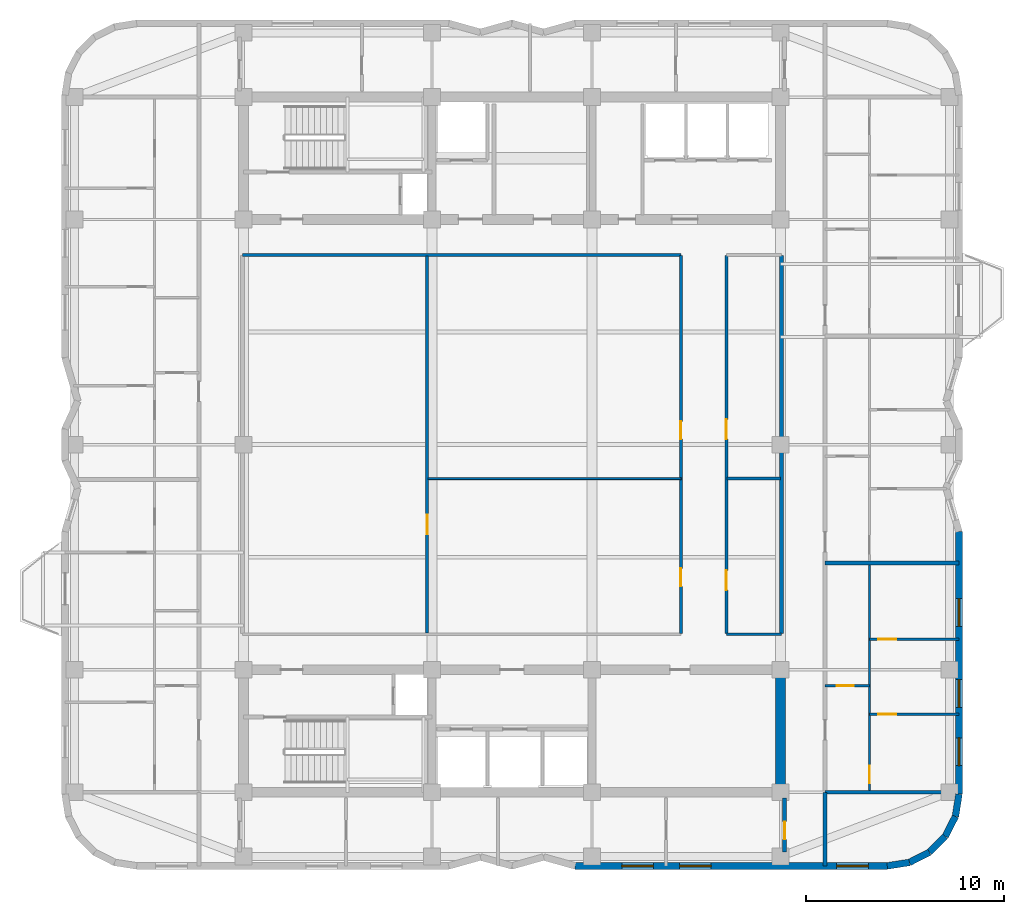
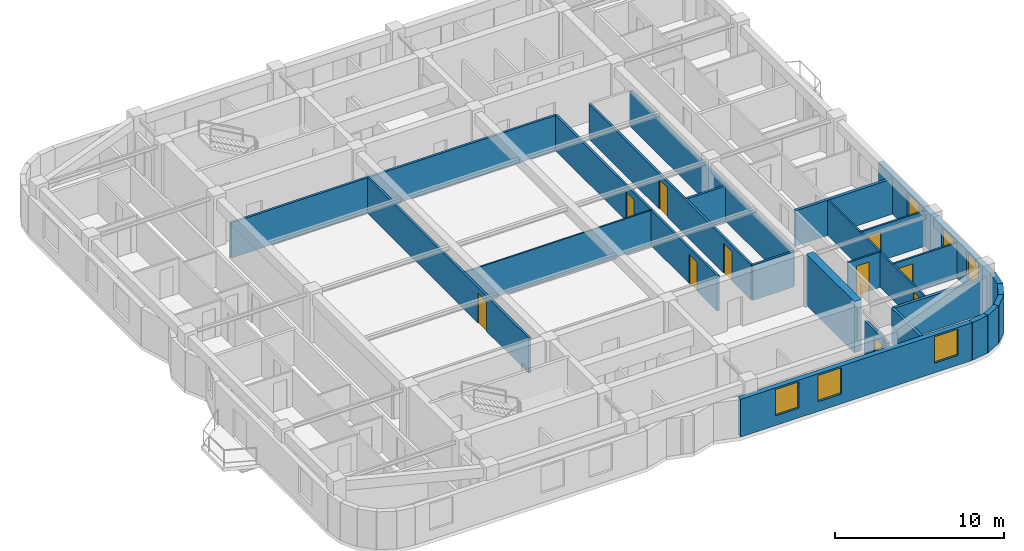
# One storey, part 4 of 9: 24 walls, 10 doors, 6 windows, 16 openings.
"""IFC4 building model written with IfcOpenShell, lengths in metres."""

from ifc_helpers import new_model, si_unit, direction, frame, frame_2d, origin, place, context, subcontext, project, spatial, rectangle, extrude, material, layer, layer_set, type_object, element, fill, save


model = new_model("IFC4")

# Units and contexts
model_context = context("Model", 3, precision=1e-05, world=origin(), true_north=direction((0.0, 1.0)))
body_context = subcontext(model_context, "Body", "Model", "MODEL_VIEW")
ifc_project = project(units=[si_unit("LENGTHUNIT", "METRE"), si_unit("AREAUNIT", "SQUARE_METRE"), si_unit("VOLUMEUNIT", "CUBIC_METRE"), si_unit("PLANEANGLEUNIT", "RADIAN"), si_unit("MASSUNIT", "GRAM", prefix="KILO")], contexts=[model_context])

# Site, building, storey
site_placement = place(None, origin())
site = spatial("IfcSite", under=ifc_project, at=site_placement, CompositionType="ELEMENT")
building_placement = place(site_placement, origin())
building = spatial("IfcBuilding", under=site, at=building_placement, Name="Svetorya Sky Lyceum", CompositionType="ELEMENT")
storey_placement = place(building_placement, frame((0.0, 0.0, 207.300048828125)))
storey = spatial("IfcBuildingStorey", under=building, at=storey_placement, Name="L51", CompositionType="ELEMENT", Elevation=207.300048828125)

# Wall
ifc_material_1 = material(Name="Concrete C50/60", Category="concrete")
ifc_layer_1 = layer(ifc_material_1, 0.5)
ifc_layer_set_1 = layer_set([ifc_layer_1], Name="Concrete C50/60")
wall_type_1 = type_object("IfcWallType", Name="WL-CORE-500", PredefinedType="SHEAR", material=ifc_layer_set_1)
wall_1_placement = place(storey_placement, frame((52.800048828125, 10.85009765625, 0.0), z_axis=(0.0, 0.0, 1.0), x_axis=(0.0, 1.0, 0.0)))
element("IfcWall", 1, at=wall_1_placement, inside=storey, type_object=wall_type_1, Name="L51 SC East Core Shear Wall", PredefinedType="SHEAR", context=body_context, shape_type="SweptSolid", body=[
    extrude(rectangle(XDim=5.699951171875, YDim=0.5, at=frame_2d((2.85009765625, 0.0))), origin(), (0.0, 0.0, 1.0), 3.699951171875),
])

# Wall, openings, windows
ifc_material_2 = material(Name="Putilovo limestone rainscreen on autoclaved cellular masonry", Category="masonry")
ifc_layer_2 = layer(ifc_material_2, 0.340087890625)
ifc_layer_set_2 = layer_set([ifc_layer_2], Name="Putilovo limestone rainscreen on autoclaved cellular masonry")
wall_type_2 = type_object("IfcWallType", Name="WL-EXT-340", PredefinedType="SOLIDWALL", material=ifc_layer_set_2)
wall_2_placement = place(storey_placement, frame((42.39990234375, 6.8701171875, 0.0), z_axis=(0.0, 0.0, 1.0), x_axis=(1.0, 0.0, 0.0)))
wall_2 = element("IfcWall", 2, at=wall_2_placement, inside=storey, type_object=wall_type_2, Name="L51 Limestone Exterior Wall 11M", PredefinedType="SOLIDWALL", context=body_context, shape_type="SweptSolid", body=[
    extrude(rectangle(XDim=15.800048828125, YDim=0.340087890625, at=frame_2d((7.89990234375, 0.0))), origin(), (0.0, 0.0, 1.0), 2.719970703125),
])
opening_1_placement = place(wall_2_placement, frame((2.362548828125, 0.0, 0.699951171875)))
opening_1 = element("IfcOpeningElement", 3, at=opening_1_placement, cuts=wall_2, Name="Opening W-R4", PredefinedType="OPENING", context=body_context, shape_type="SweptSolid", body=[
    extrude(rectangle(XDim=1.60009765625, YDim=1.89990234375, at=frame_2d((0.800048828125, 0.949951171875))), frame((0.0, 0.179931640625, 0.0), z_axis=(0.0, -1.0, 0.0), x_axis=(1.0, 0.0, 0.0)), (0.0, 0.0, 1.0), 0.360107421875),
])
opening_2_placement = place(wall_2_placement, frame((5.28759765625, 0.0, 0.699951171875)))
opening_2 = element("IfcOpeningElement", 4, at=opening_2_placement, cuts=wall_2, Name="Opening W-R4", PredefinedType="OPENING", context=body_context, shape_type="SweptSolid", body=[
    extrude(rectangle(XDim=1.60009765625, YDim=1.89990234375, at=frame_2d((0.800048828125, 0.949951171875))), frame((0.0, 0.179931640625, 0.0), z_axis=(0.0, -1.0, 0.0), x_axis=(1.0, 0.0, 0.0)), (0.0, 0.0, 1.0), 0.360107421875),
])
opening_3_placement = place(wall_2_placement, frame((13.237548828125, 0.0, 0.699951171875)))
opening_3 = element("IfcOpeningElement", 5, at=opening_3_placement, cuts=wall_2, Name="Opening W-R4", PredefinedType="OPENING", context=body_context, shape_type="SweptSolid", body=[
    extrude(rectangle(XDim=1.60009765625, YDim=1.89990234375, at=frame_2d((0.800048828125, 0.949951171875))), frame((0.0, 0.179931640625, 0.0), z_axis=(0.0, -1.0, 0.0), x_axis=(1.0, 0.0, 0.0)), (0.0, 0.0, 1.0), 0.360107421875),
])
ifc_material_3 = material(Name="Thermally broken aluminium frame with triple low-E glazing", Category="aluminium")
window_type_1 = type_object("IfcWindowType", Name="WN-RES-160", PartitioningType="DOUBLE_PANEL_VERTICAL", PredefinedType="WINDOW", material=ifc_material_3)
window_1_placement = place(opening_1_placement, origin())
window_1 = element("IfcWindow", 6, at=window_1_placement, inside=storey, type_object=window_type_1, Name="L51 Facade Window W-R4.11M.1", OverallHeight=1.89990234375, OverallWidth=1.60009765625, PartitioningType="SINGLE_PANEL", PredefinedType="WINDOW", context=body_context, shape_type="SweptSolid", body=[
    extrude(rectangle(XDim=1.60009765625, YDim=1.89990234375, at=frame_2d((0.800048828125, 0.949951171875))), frame((0.0, 0.030029296875, 0.0), z_axis=(0.0, -1.0, 0.0), x_axis=(1.0, 0.0, 0.0)), (0.0, 0.0, 1.0), 0.06005859375),
])
fill(opening_1, window_1)
window_2_placement = place(opening_2_placement, origin())
window_2 = element("IfcWindow", 7, at=window_2_placement, inside=storey, type_object=window_type_1, Name="L51 Facade Window W-R4.11M.2", OverallHeight=1.89990234375, OverallWidth=1.60009765625, PartitioningType="SINGLE_PANEL", PredefinedType="WINDOW", context=body_context, shape_type="SweptSolid", body=[
    extrude(rectangle(XDim=1.60009765625, YDim=1.89990234375, at=frame_2d((0.800048828125, 0.949951171875))), frame((0.0, 0.030029296875, 0.0), z_axis=(0.0, -1.0, 0.0), x_axis=(1.0, 0.0, 0.0)), (0.0, 0.0, 1.0), 0.06005859375),
])
fill(opening_2, window_2)
window_3_placement = place(opening_3_placement, origin())
window_3 = element("IfcWindow", 8, at=window_3_placement, inside=storey, type_object=window_type_1, Name="L51 Facade Window W-R4.11M.3", OverallHeight=1.89990234375, OverallWidth=1.60009765625, PartitioningType="SINGLE_PANEL", PredefinedType="WINDOW", context=body_context, shape_type="SweptSolid", body=[
    extrude(rectangle(XDim=1.60009765625, YDim=1.89990234375, at=frame_2d((0.800048828125, 0.949951171875))), frame((0.0, 0.030029296875, 0.0), z_axis=(0.0, -1.0, 0.0), x_axis=(1.0, 0.0, 0.0)), (0.0, 0.0, 1.0), 0.06005859375),
])
fill(opening_3, window_3)

# Walls
for number, where, z_axis, x_axis, name in (
    (9, (58.199951171875, 6.8701171875, 0.0), (0.0, 0.0, 1.0), (0.987714116584, 0.156271634985, 0.0), "L51 Limestone Exterior Wall 12M"),
    (10, (59.32177734375, 7.047607421875, 0.0), (0.0, 0.0, 1.0), (0.891005044957, 0.453993402883, 0.0), "L51 Limestone Exterior Wall 13M"),
):
    element("IfcWall", number, at=place(storey_placement, frame(where, z_axis=z_axis, x_axis=x_axis)), inside=storey, type_object=wall_type_2, Name=name, PredefinedType="SOLIDWALL", context=body_context, shape_type="SweptSolid", body=[
        extrude(rectangle(XDim=1.1357421875, YDim=0.340087890625, at=frame_2d((0.56787109375, 0.0))), origin(), (0.0, 0.0, 1.0), 2.719970703125),
    ])
wall_3_placement = place(storey_placement, frame((60.333740234375, 7.563232421875, 0.0), z_axis=(0.0, 0.0, 1.0), x_axis=(0.707106781187, 0.707106781187, 0.0)))
element("IfcWall", 11, at=wall_3_placement, inside=storey, type_object=wall_type_2, Name="L51 Limestone Exterior Wall 14M", PredefinedType="SOLIDWALL", context=body_context, shape_type="SweptSolid", body=[
    extrude(rectangle(XDim=1.135498046875, YDim=0.340087890625, at=frame_2d((0.56787109375, 0.0))), origin(), (0.0, 0.0, 1.0), 2.719970703125),
])
wall_4_placement = place(storey_placement, frame((61.13671875, 8.3662109375, 0.0), z_axis=(0.0, 0.0, 1.0), x_axis=(0.45390646422, 0.891049337433, 0.0)))
element("IfcWall", 12, at=wall_4_placement, inside=storey, type_object=wall_type_2, Name="L51 Limestone Exterior Wall 15M", PredefinedType="SOLIDWALL", context=body_context, shape_type="SweptSolid", body=[
    extrude(rectangle(XDim=1.135986328125, YDim=0.340087890625, at=frame_2d((0.56787109375, 0.0))), origin(), (0.0, 0.0, 1.0), 2.719970703125),
])
wall_5_placement = place(storey_placement, frame((61.65234375, 9.37841796875, 0.0), z_axis=(0.0, 0.0, 1.0), x_axis=(0.156514556949, 0.987675651954, 0.0)))
element("IfcWall", 13, at=wall_5_placement, inside=storey, type_object=wall_type_2, Name="L51 Limestone Exterior Wall 16M", PredefinedType="SOLIDWALL", context=body_context, shape_type="SweptSolid", body=[
    extrude(rectangle(XDim=1.135498046875, YDim=0.340087890625, at=frame_2d((0.56787109375, 0.0))), origin(), (0.0, 0.0, 1.0), 2.719970703125),
])

# Wall, openings, windows
wall_6_placement = place(storey_placement, frame((61.830078125, 10.5, 0.0), z_axis=(0.0, 0.0, 1.0), x_axis=(0.0, 1.0, 0.0)))
wall_6 = element("IfcWall", 14, at=wall_6_placement, inside=storey, type_object=wall_type_2, Name="L51 Limestone Exterior Wall 17M", PredefinedType="SOLIDWALL", context=body_context, shape_type="SweptSolid", body=[
    extrude(rectangle(XDim=13.300048828125, YDim=0.340087890625, at=frame_2d((6.64990234375, 0.0))), origin(), (0.0, 0.0, 1.0), 2.719970703125),
])
opening_4_placement = place(wall_6_placement, frame((1.449951171875, 0.0, 0.75)))
opening_4 = element("IfcOpeningElement", 15, at=opening_4_placement, cuts=wall_6, Name="Opening W-R2", PredefinedType="OPENING", context=body_context, shape_type="SweptSolid", body=[
    extrude(rectangle(XDim=1.39990234375, YDim=1.85009765625, at=frame_2d((0.699951171875, 0.925048828125))), frame((0.0, 0.179931640625, 0.0), z_axis=(0.0, -1.0, 0.0), x_axis=(1.0, 0.0, 0.0)), (0.0, 0.0, 1.0), 0.360107421875),
])
opening_5_placement = place(wall_6_placement, frame((4.39990234375, 0.0, 0.7099609375)))
opening_5 = element("IfcOpeningElement", 16, at=opening_5_placement, cuts=wall_6, Name="Opening W-R2", PredefinedType="OPENING", context=body_context, shape_type="SweptSolid", body=[
    extrude(rectangle(XDim=1.39990234375, YDim=1.85009765625, at=frame_2d((0.699951171875, 0.925048828125))), frame((0.0, 0.179931640625, 0.0), z_axis=(0.0, -1.0, 0.0), x_axis=(1.0, 0.0, 0.0)), (0.0, 0.0, 1.0), 0.360107421875),
])
opening_6_placement = place(wall_6_placement, frame((8.5, 0.0, 0.75)))
opening_6 = element("IfcOpeningElement", 17, at=opening_6_placement, cuts=wall_6, Name="Opening W-R2", PredefinedType="OPENING", context=body_context, shape_type="SweptSolid", body=[
    extrude(rectangle(XDim=1.39990234375, YDim=1.85009765625, at=frame_2d((0.699951171875, 0.925048828125))), frame((0.0, 0.179931640625, 0.0), z_axis=(0.0, -1.0, 0.0), x_axis=(1.0, 0.0, 0.0)), (0.0, 0.0, 1.0), 0.360107421875),
])
window_type_2 = type_object("IfcWindowType", Name="WN-RES-140", PartitioningType="SINGLE_PANEL", PredefinedType="WINDOW", material=ifc_material_3)
window_4_placement = place(opening_4_placement, origin())
window_4 = element("IfcWindow", 18, at=window_4_placement, inside=storey, type_object=window_type_2, Name="L51 Facade Window W-R2.17M.1", OverallHeight=1.85009765625, OverallWidth=1.39990234375, PartitioningType="SINGLE_PANEL", PredefinedType="WINDOW", context=body_context, shape_type="SweptSolid", body=[
    extrude(rectangle(XDim=1.39990234375, YDim=1.85009765625, at=frame_2d((0.699951171875, 0.925048828125))), frame((0.0, 0.030029296875, 0.0), z_axis=(0.0, -1.0, 0.0), x_axis=(1.0, 0.0, 0.0)), (0.0, 0.0, 1.0), 0.06005859375),
])
fill(opening_4, window_4)
window_5_placement = place(opening_5_placement, origin())
window_5 = element("IfcWindow", 19, at=window_5_placement, inside=storey, type_object=window_type_2, Name="L51 Facade Window W-R2.17M.3", OverallHeight=1.85009765625, OverallWidth=1.39990234375, PartitioningType="SINGLE_PANEL", PredefinedType="WINDOW", context=body_context, shape_type="SweptSolid", body=[
    extrude(rectangle(XDim=1.39990234375, YDim=1.85009765625, at=frame_2d((0.699951171875, 0.925048828125))), frame((0.0, 0.030029296875, 0.0), z_axis=(0.0, -1.0, 0.0), x_axis=(1.0, 0.0, 0.0)), (0.0, 0.0, 1.0), 0.06005859375),
])
fill(opening_5, window_5)
window_6_placement = place(opening_6_placement, origin())
window_6 = element("IfcWindow", 20, at=window_6_placement, inside=storey, type_object=window_type_2, Name="L51 Facade Window W-R2.17M.2", OverallHeight=1.85009765625, OverallWidth=1.39990234375, PartitioningType="SINGLE_PANEL", PredefinedType="WINDOW", context=body_context, shape_type="SweptSolid", body=[
    extrude(rectangle(XDim=1.39990234375, YDim=1.85009765625, at=frame_2d((0.699951171875, 0.925048828125))), frame((0.0, 0.030029296875, 0.0), z_axis=(0.0, -1.0, 0.0), x_axis=(1.0, 0.0, 0.0)), (0.0, 0.0, 1.0), 0.06005859375),
])
fill(opening_6, window_6)

# Wall
ifc_material_4 = material(Name="Galvanized stud partition with moisture-resistant board", Category="gypsum")
ifc_layer_3 = layer(ifc_material_4, 0.10009765625)
ifc_layer_set_3 = layer_set([ifc_layer_3], Name="Galvanized stud partition with moisture-resistant board")
wall_type_3 = type_object("IfcWallType", Name="WL-PART-100", PredefinedType="PARTITIONING", material=ifc_layer_set_3)
wall_7_placement = place(storey_placement, frame((34.949951171875, 26.477294921875, 0.0), z_axis=(0.0, 0.0, 1.0), x_axis=(1.0, 0.0, 0.0)))
element("IfcWall", 21, at=wall_7_placement, inside=storey, type_object=wall_type_3, Name="L51 Interior Partition OFF-WHM", PredefinedType="PARTITIONING", context=body_context, shape_type="SweptSolid", body=[
    extrude(rectangle(XDim=12.81005859375, YDim=0.10009765625, at=frame_2d((6.405029296875, 0.0))), origin(), (0.0, 0.0, 1.0), 2.550048828125),
])

# Wall, opening, door
ifc_material_5 = material(Name="Twin-stud galvanized framing with double fireboard", Category="gypsum")
ifc_layer_4 = layer(ifc_material_5, 0.1201171875)
ifc_layer_set_4 = layer_set([ifc_layer_4], Name="Twin-stud galvanized framing with double fireboard")
wall_type_4 = type_object("IfcWallType", Name="WL-PART-120", PredefinedType="PARTITIONING", material=ifc_layer_set_4)
wall_8_placement = place(storey_placement, frame((55.050048828125, 16.0, 0.0), z_axis=(0.0, 0.0, 1.0), x_axis=(1.0, 0.0, 0.0)))
wall_8 = element("IfcWall", 22, at=wall_8_placement, inside=storey, type_object=wall_type_4, Name="L51 Interior Partition E1-WH1", PredefinedType="PARTITIONING", context=body_context, shape_type="SweptSolid", body=[
    extrude(rectangle(XDim=2.25, YDim=0.1201171875, at=frame_2d((1.125, 0.0))), origin(), (0.0, 0.0, 1.0), 2.550048828125),
])
opening_7_placement = place(wall_8_placement, frame((0.60009765625, 0.0, 0.0)))
opening_7 = element("IfcOpeningElement", 23, at=opening_7_placement, cuts=wall_8, Name="Opening D-BT1", PredefinedType="OPENING", context=body_context, shape_type="SweptSolid", body=[
    extrude(rectangle(XDim=0.85009765625, YDim=2.10009765625, at=frame_2d((0.425048828125, 1.050048828125))), frame((0.0, 0.070068359375, 0.0), z_axis=(0.0, -1.0, 0.0), x_axis=(1.0, 0.0, 0.0)), (0.0, 0.0, 1.0), 0.14013671875),
])
ifc_material_6 = material(Name="Moisture-resistant laminate bathroom door")
door_type_1 = type_object("IfcDoorType", Name="DR-WET-850", OperationType="SINGLE_SWING_LEFT", PredefinedType="DOOR", material=ifc_material_6)
door_1_placement = place(opening_7_placement, origin())
door_1 = element("IfcDoor", 24, at=door_1_placement, inside=storey, type_object=door_type_1, Name="Apartment E1 Bathroom Door", OperationType="SINGLE_SWING_RIGHT", OverallHeight=2.10009765625, OverallWidth=0.85009765625, PredefinedType="DOOR", context=body_context, shape_type="SweptSolid", body=[
    extrude(rectangle(XDim=0.85009765625, YDim=2.10009765625, at=frame_2d((0.425048828125, 1.050048828125))), frame((0.0, 0.02490234375, 0.0), z_axis=(0.0, -1.0, 0.0), x_axis=(1.0, 0.0, 0.0)), (0.0, 0.0, 1.0), 0.050048828125),
])
fill(opening_7, door_1)

wall_9_placement = place(storey_placement, frame((57.300048828125, 14.550048828125, 0.0), z_axis=(0.0, 0.0, 1.0), x_axis=(1.0, 0.0, 0.0)))
wall_9 = element("IfcWall", 25, at=wall_9_placement, inside=storey, type_object=wall_type_4, Name="L51 Interior Partition E1-WL1", PredefinedType="PARTITIONING", context=body_context, shape_type="SweptSolid", body=[
    extrude(rectangle(XDim=4.530029296875, YDim=0.1201171875, at=frame_2d((2.26513671875, 0.0))), origin(), (0.0, 0.0, 1.0), 2.550048828125),
])
opening_8_placement = place(wall_9_placement, frame((0.449951171875, 0.0, 0.0)))
opening_8 = element("IfcOpeningElement", 26, at=opening_8_placement, cuts=wall_9, Name="Opening D-RM1", PredefinedType="OPENING", context=body_context, shape_type="SweptSolid", body=[
    extrude(rectangle(XDim=0.89990234375, YDim=2.10009765625, at=frame_2d((0.449951171875, 1.050048828125))), frame((0.0, 0.070068359375, 0.0), z_axis=(0.0, -1.0, 0.0), x_axis=(1.0, 0.0, 0.0)), (0.0, 0.0, 1.0), 0.14013671875),
])
ifc_material_7 = material(Name="Lacquered birch veneer internal door")
door_type_2 = type_object("IfcDoorType", Name="DR-INT-900", OperationType="SINGLE_SWING_LEFT", PredefinedType="DOOR", material=ifc_material_7)
door_2_placement = place(opening_8_placement, origin())
door_2 = element("IfcDoor", 27, at=door_2_placement, inside=storey, type_object=door_type_2, Name="Apartment E1 Master Bedroom Door", OperationType="SINGLE_SWING_RIGHT", OverallHeight=2.10009765625, OverallWidth=0.89990234375, PredefinedType="DOOR", context=body_context, shape_type="SweptSolid", body=[
    extrude(rectangle(XDim=0.89990234375, YDim=2.10009765625, at=frame_2d((0.449951171875, 1.050048828125))), frame((0.0, 0.02490234375, 0.0), z_axis=(0.0, -1.0, 0.0), x_axis=(1.0, 0.0, 0.0)), (0.0, 0.0, 1.0), 0.050048828125),
])
fill(opening_8, door_2)

wall_10_placement = place(storey_placement, frame((57.300048828125, 18.35009765625, 0.0), z_axis=(0.0, 0.0, 1.0), x_axis=(1.0, 0.0, 0.0)))
wall_10 = element("IfcWall", 28, at=wall_10_placement, inside=storey, type_object=wall_type_4, Name="L51 Interior Partition E1-WL2", PredefinedType="PARTITIONING", context=body_context, shape_type="SweptSolid", body=[
    extrude(rectangle(XDim=4.530029296875, YDim=0.1201171875, at=frame_2d((2.26513671875, 0.0))), origin(), (0.0, 0.0, 1.0), 2.550048828125),
])
opening_9_placement = place(wall_10_placement, frame((0.449951171875, 0.0, 0.0)))
opening_9 = element("IfcOpeningElement", 29, at=opening_9_placement, cuts=wall_10, Name="Opening D-RM1", PredefinedType="OPENING", context=body_context, shape_type="SweptSolid", body=[
    extrude(rectangle(XDim=0.89990234375, YDim=2.10009765625, at=frame_2d((0.449951171875, 1.050048828125))), frame((0.0, 0.070068359375, 0.0), z_axis=(0.0, -1.0, 0.0), x_axis=(1.0, 0.0, 0.0)), (0.0, 0.0, 1.0), 0.14013671875),
])
door_3_placement = place(opening_9_placement, origin())
door_3 = element("IfcDoor", 30, at=door_3_placement, inside=storey, type_object=door_type_2, Name="Apartment E1 Bedroom 2 Door", OperationType="SINGLE_SWING_LEFT", OverallHeight=2.10009765625, OverallWidth=0.89990234375, PredefinedType="DOOR", context=body_context, shape_type="SweptSolid", body=[
    extrude(rectangle(XDim=0.89990234375, YDim=2.10009765625, at=frame_2d((0.449951171875, 1.050048828125))), frame((0.0, 0.02490234375, 0.0), z_axis=(0.0, -1.0, 0.0), x_axis=(1.0, 0.0, 0.0)), (0.0, 0.0, 1.0), 0.050048828125),
])
fill(opening_9, door_3)

wall_11_placement = place(storey_placement, frame((57.300048828125, 10.639892578125, 0.0), z_axis=(0.0, 0.0, 1.0), x_axis=(0.0, 1.0, 0.0)))
wall_11 = element("IfcWall", 31, at=wall_11_placement, inside=storey, type_object=wall_type_4, Name="L51 Interior Partition E1-WV", PredefinedType="PARTITIONING", context=body_context, shape_type="SweptSolid", body=[
    extrude(rectangle(XDim=11.5361328125, YDim=0.1201171875, at=frame_2d((5.76806640625, 0.0))), origin(), (0.0, 0.0, 1.0), 2.550048828125),
])
opening_10_placement = place(wall_11_placement, frame((0.409912109375, 0.0, 0.0)))
opening_10 = element("IfcOpeningElement", 32, at=opening_10_placement, cuts=wall_11, Name="Opening D-RM1", PredefinedType="OPENING", context=body_context, shape_type="SweptSolid", body=[
    extrude(rectangle(XDim=0.89990234375, YDim=2.10009765625, at=frame_2d((0.449951171875, 1.050048828125))), frame((0.0, 0.070068359375, 0.0), z_axis=(0.0, -1.0, 0.0), x_axis=(1.0, 0.0, 0.0)), (0.0, 0.0, 1.0), 0.14013671875),
])
door_4_placement = place(opening_10_placement, origin())
door_4 = element("IfcDoor", 33, at=door_4_placement, inside=storey, type_object=door_type_2, Name="Apartment E1 Living Door", OperationType="SINGLE_SWING_LEFT", OverallHeight=2.10009765625, OverallWidth=0.89990234375, PredefinedType="DOOR", context=body_context, shape_type="SweptSolid", body=[
    extrude(rectangle(XDim=0.89990234375, YDim=2.10009765625, at=frame_2d((0.449951171875, 1.050048828125))), frame((0.0, 0.02490234375, 0.0), z_axis=(0.0, -1.0, 0.0), x_axis=(1.0, 0.0, 0.0)), (0.0, 0.0, 1.0), 0.050048828125),
])
fill(opening_10, door_4)

# Walls
ifc_material_8 = material(Name="Autoclaved cellular masonry blockwork with acoustic render", Category="masonry")
ifc_layer_5 = layer(ifc_material_8, 0.14990234375)
ifc_layer_set_5 = layer_set([ifc_layer_5], Name="Autoclaved cellular masonry blockwork with acoustic render")
wall_type_5 = type_object("IfcWallType", Name="WL-PART-150", PredefinedType="PARTITIONING", material=ifc_layer_set_5)
wall_12_placement = place(storey_placement, frame((50.050048828125, 18.60009765625, 0.0), z_axis=(0.0, 0.0, 1.0), x_axis=(1.0, 0.0, 0.0)))
element("IfcWall", 34, at=wall_12_placement, inside=storey, type_object=wall_type_5, Name="L51 Interior Partition OFF-CS-E", PredefinedType="PARTITIONING", context=body_context, shape_type="SweptSolid", body=[
    extrude(rectangle(XDim=2.800048828125, YDim=0.14990234375, at=frame_2d((1.39990234375, 0.0))), origin(), (0.0, 0.0, 1.0), 2.550048828125),
])
wall_13_placement = place(storey_placement, frame((25.550048828125, 37.800048828125, 0.0), z_axis=(0.0, 0.0, 1.0), x_axis=(1.0, 0.0, 0.0)))
element("IfcWall", 35, at=wall_13_placement, inside=storey, type_object=wall_type_5, Name="L51 Interior Partition OFF-CN-W", PredefinedType="PARTITIONING", context=body_context, shape_type="SweptSolid", body=[
    extrude(rectangle(XDim=22.199951171875, YDim=0.14990234375, at=frame_2d((11.10009765625, 0.0))), origin(), (0.0, 0.0, 1.0), 2.550048828125),
])

# Wall, opening, door
wall_14_placement = place(storey_placement, frame((34.89990234375, 18.659912109375, 0.0), z_axis=(0.0, 0.0, 1.0), x_axis=(0.0, 1.0, 0.0)))
wall_14 = element("IfcWall", 36, at=wall_14_placement, inside=storey, type_object=wall_type_5, Name="L51 Interior Partition OFF-WVM", PredefinedType="PARTITIONING", context=body_context, shape_type="SweptSolid", body=[
    extrude(rectangle(XDim=19.080078125, YDim=0.14990234375, at=frame_2d((9.5400390625, 0.0))), origin(), (0.0, 0.0, 1.0), 2.550048828125),
])
opening_11_placement = place(wall_14_placement, frame((5.0, 0.0, 0.0)))
opening_11 = element("IfcOpeningElement", 37, at=opening_11_placement, cuts=wall_14, Name="Opening D-RM2", PredefinedType="OPENING", context=body_context, shape_type="SweptSolid", body=[
    extrude(rectangle(XDim=1.0, YDim=2.14990234375, at=frame_2d((0.5, 1.074951171875))), frame((0.0, 0.0849609375, 0.0), z_axis=(0.0, -1.0, 0.0), x_axis=(1.0, 0.0, 0.0)), (0.0, 0.0, 1.0), 0.169921875),
])
ifc_material_9 = material(Name="Solid-core oak acoustic room door")
door_type_3 = type_object("IfcDoorType", Name="DR-INT-1000", OperationType="SINGLE_SWING_LEFT", PredefinedType="DOOR", material=ifc_material_9)
door_5_placement = place(opening_11_placement, origin())
door_5 = element("IfcDoor", 38, at=door_5_placement, inside=storey, type_object=door_type_3, Name="L51 West Seminar Door", OperationType="SINGLE_SWING_LEFT", OverallHeight=2.14990234375, OverallWidth=1.0, PredefinedType="DOOR", context=body_context, shape_type="SweptSolid", body=[
    extrude(rectangle(XDim=1.0, YDim=2.14990234375, at=frame_2d((0.5, 1.074951171875))), frame((0.0, 0.02490234375, 0.0), z_axis=(0.0, -1.0, 0.0), x_axis=(1.0, 0.0, 0.0)), (0.0, 0.0, 1.0), 0.050048828125),
])
fill(opening_11, door_5)

# Wall
wall_15_placement = place(storey_placement, frame((50.080078125, 26.477294921875, 0.0), z_axis=(0.0, 0.0, 1.0), x_axis=(1.0, 0.0, 0.0)))
element("IfcWall", 39, at=wall_15_placement, inside=storey, type_object=wall_type_5, Name="L51 Interior Partition OFF-HE", PredefinedType="PARTITIONING", context=body_context, shape_type="SweptSolid", body=[
    extrude(rectangle(XDim=2.719970703125, YDim=0.14990234375, at=frame_2d((1.35986328125, 0.0))), origin(), (0.0, 0.0, 1.0), 2.550048828125),
])

# Wall, openings, doors
wall_16_placement = place(storey_placement, frame((47.75, 18.6298828125, 0.0), z_axis=(0.0, 0.0, 1.0), x_axis=(0.0, 1.0, 0.0)))
wall_16 = element("IfcWall", 40, at=wall_16_placement, inside=storey, type_object=wall_type_5, Name="L51 Interior Partition OFF-VW", PredefinedType="PARTITIONING", context=body_context, shape_type="SweptSolid", body=[
    extrude(rectangle(XDim=19.14013671875, YDim=0.14990234375, at=frame_2d((9.570068359375, 0.0))), origin(), (0.0, 0.0, 1.0), 2.550048828125),
])
opening_12_placement = place(wall_16_placement, frame((2.39990234375, 0.0, 0.0)))
opening_12 = element("IfcOpeningElement", 41, at=opening_12_placement, cuts=wall_16, Name="Opening D-RM1", PredefinedType="OPENING", context=body_context, shape_type="SweptSolid", body=[
    extrude(rectangle(XDim=0.89990234375, YDim=2.10009765625, at=frame_2d((0.449951171875, 1.050048828125))), frame((0.0, 0.0849609375, 0.0), z_axis=(0.0, -1.0, 0.0), x_axis=(1.0, 0.0, 0.0)), (0.0, 0.0, 1.0), 0.169921875),
])
opening_13_placement = place(wall_16_placement, frame((9.847412109375, 0.0, 0.0)))
opening_13 = element("IfcOpeningElement", 42, at=opening_13_placement, cuts=wall_16, Name="Opening D-RM1", PredefinedType="OPENING", context=body_context, shape_type="SweptSolid", body=[
    extrude(rectangle(XDim=0.89990234375, YDim=2.10009765625, at=frame_2d((0.449951171875, 1.050048828125))), frame((0.0, 0.0849609375, 0.0), z_axis=(0.0, -1.0, 0.0), x_axis=(1.0, 0.0, 0.0)), (0.0, 0.0, 1.0), 0.169921875),
])
door_6_placement = place(opening_12_placement, origin())
door_6 = element("IfcDoor", 43, at=door_6_placement, inside=storey, type_object=door_type_2, Name="L51 Study Door", OperationType="SINGLE_SWING_LEFT", OverallHeight=2.10009765625, OverallWidth=0.89990234375, PredefinedType="DOOR", context=body_context, shape_type="SweptSolid", body=[
    extrude(rectangle(XDim=0.89990234375, YDim=2.10009765625, at=frame_2d((0.449951171875, 1.050048828125))), frame((0.0, 0.02490234375, 0.0), z_axis=(0.0, -1.0, 0.0), x_axis=(1.0, 0.0, 0.0)), (0.0, 0.0, 1.0), 0.050048828125),
])
fill(opening_12, door_6)
door_7_placement = place(opening_13_placement, origin())
door_7 = element("IfcDoor", 44, at=door_7_placement, inside=storey, type_object=door_type_2, Name="L51 Office Door", OperationType="SINGLE_SWING_RIGHT", OverallHeight=2.10009765625, OverallWidth=0.89990234375, PredefinedType="DOOR", context=body_context, shape_type="SweptSolid", body=[
    extrude(rectangle(XDim=0.89990234375, YDim=2.10009765625, at=frame_2d((0.449951171875, 1.050048828125))), frame((0.0, 0.02490234375, 0.0), z_axis=(0.0, -1.0, 0.0), x_axis=(1.0, 0.0, 0.0)), (0.0, 0.0, 1.0), 0.050048828125),
])
fill(opening_13, door_7)

wall_17_placement = place(storey_placement, frame((50.050048828125, 18.6298828125, 0.0), z_axis=(0.0, 0.0, 1.0), x_axis=(0.0, 1.0, 0.0)))
wall_17 = element("IfcWall", 45, at=wall_17_placement, inside=storey, type_object=wall_type_5, Name="L51 Interior Partition OFF-VE", PredefinedType="PARTITIONING", context=body_context, shape_type="SweptSolid", body=[
    extrude(rectangle(XDim=19.14013671875, YDim=0.14990234375, at=frame_2d((9.570068359375, 0.0))), origin(), (0.0, 0.0, 1.0), 2.550048828125),
])
opening_14_placement = place(wall_17_placement, frame((2.199951171875, 0.0, 0.0)))
opening_14 = element("IfcOpeningElement", 46, at=opening_14_placement, cuts=wall_17, Name="Opening D-RM2", PredefinedType="OPENING", context=body_context, shape_type="SweptSolid", body=[
    extrude(rectangle(XDim=1.0, YDim=2.14990234375, at=frame_2d((0.5, 1.074951171875))), frame((0.0, 0.0849609375, 0.0), z_axis=(0.0, -1.0, 0.0), x_axis=(1.0, 0.0, 0.0)), (0.0, 0.0, 1.0), 0.169921875),
])
opening_15_placement = place(wall_17_placement, frame((9.847412109375, 0.0, 0.0)))
opening_15 = element("IfcOpeningElement", 47, at=opening_15_placement, cuts=wall_17, Name="Opening D-RM2", PredefinedType="OPENING", context=body_context, shape_type="SweptSolid", body=[
    extrude(rectangle(XDim=1.0, YDim=2.14990234375, at=frame_2d((0.5, 1.074951171875))), frame((0.0, 0.0849609375, 0.0), z_axis=(0.0, -1.0, 0.0), x_axis=(1.0, 0.0, 0.0)), (0.0, 0.0, 1.0), 0.169921875),
])
door_8_placement = place(opening_14_placement, origin())
door_8 = element("IfcDoor", 48, at=door_8_placement, inside=storey, type_object=door_type_3, Name="L51 Meeting Door", OperationType="SINGLE_SWING_RIGHT", OverallHeight=2.14990234375, OverallWidth=1.0, PredefinedType="DOOR", context=body_context, shape_type="SweptSolid", body=[
    extrude(rectangle(XDim=1.0, YDim=2.14990234375, at=frame_2d((0.5, 1.074951171875))), frame((0.0, 0.02490234375, 0.0), z_axis=(0.0, -1.0, 0.0), x_axis=(1.0, 0.0, 0.0)), (0.0, 0.0, 1.0), 0.050048828125),
])
fill(opening_14, door_8)
door_9_placement = place(opening_15_placement, origin())
door_9 = element("IfcDoor", 49, at=door_9_placement, inside=storey, type_object=door_type_3, Name="L51 North Room Door", OperationType="SINGLE_SWING_LEFT", OverallHeight=2.14990234375, OverallWidth=1.0, PredefinedType="DOOR", context=body_context, shape_type="SweptSolid", body=[
    extrude(rectangle(XDim=1.0, YDim=2.14990234375, at=frame_2d((0.5, 1.074951171875))), frame((0.0, 0.02490234375, 0.0), z_axis=(0.0, -1.0, 0.0), x_axis=(1.0, 0.0, 0.0)), (0.0, 0.0, 1.0), 0.050048828125),
])
fill(opening_15, door_9)

# Walls
ifc_material_10 = material(Name="Autoclaved cellular masonry blockwork with gypsum plaster", Category="masonry")
ifc_layer_6 = layer(ifc_material_10, 0.199951171875)
ifc_layer_set_6 = layer_set([ifc_layer_6], Name="Autoclaved cellular masonry blockwork with gypsum plaster")
wall_type_6 = type_object("IfcWallType", Name="WL-PART-200", PredefinedType="PARTITIONING", material=ifc_layer_set_6)
wall_18_placement = place(storey_placement, frame((52.85009765625, 18.6298828125, 0.0), z_axis=(0.0, 0.0, 1.0), x_axis=(0.0, 1.0, 0.0)))
element("IfcWall", 50, at=wall_18_placement, inside=storey, type_object=wall_type_6, Name="L51 Interior Partition E-CEN-SEP", PredefinedType="PARTITIONING", context=body_context, shape_type="SweptSolid", body=[
    extrude(rectangle(XDim=19.14013671875, YDim=0.199951171875, at=frame_2d((9.570068359375, 0.0))), origin(), (0.0, 0.0, 1.0), 2.550048828125),
])
wall_19_placement = place(storey_placement, frame((55.050048828125, 22.216064453125, 0.0), z_axis=(0.0, 0.0, 1.0), x_axis=(1.0, 0.0, 0.0)))
element("IfcWall", 51, at=wall_19_placement, inside=storey, type_object=wall_type_6, Name="L51 Interior Partition E-PARTY-1", PredefinedType="PARTITIONING", context=body_context, shape_type="SweptSolid", body=[
    extrude(rectangle(XDim=6.780029296875, YDim=0.199951171875, at=frame_2d((3.39013671875, 0.0))), origin(), (0.0, 0.0, 1.0), 2.550048828125),
])
wall_20_placement = place(storey_placement, frame((55.050048828125, 10.60009765625, 0.0), z_axis=(0.0, 0.0, 1.0), x_axis=(1.0, 0.0, 0.0)))
element("IfcWall", 52, at=wall_20_placement, inside=storey, type_object=wall_type_6, Name="L51 Interior Partition E-CAP-S", PredefinedType="PARTITIONING", context=body_context, shape_type="SweptSolid", body=[
    extrude(rectangle(XDim=6.35986328125, YDim=0.199951171875, at=frame_2d((3.179931640625, 0.0))), origin(), (0.0, 0.0, 1.0), 2.550048828125),
])
wall_21_placement = place(storey_placement, frame((55.050048828125, 6.8701171875, 0.0), z_axis=(0.0, 0.0, 1.0), x_axis=(0.0, 1.0, 0.0)))
element("IfcWall", 53, at=wall_21_placement, inside=storey, type_object=wall_type_6, Name="L51 Interior Partition EC-SE-END", PredefinedType="PARTITIONING", context=body_context, shape_type="SweptSolid", body=[
    extrude(rectangle(XDim=3.72998046875, YDim=0.199951171875, at=frame_2d((1.864990234375, 0.0))), origin(), (0.0, 0.0, 1.0), 2.550048828125),
])

# Wall, opening, door
wall_22_placement = place(storey_placement, frame((53.0, 7.570068359375, 0.0), z_axis=(0.0, 0.0, 1.0), x_axis=(0.0, 1.0, 0.0)))
wall_22 = element("IfcWall", 54, at=wall_22_placement, inside=storey, type_object=wall_type_6, Name="L51 Interior Partition S4-EE", PredefinedType="PARTITIONING", context=body_context, shape_type="SweptSolid", body=[
    extrude(rectangle(XDim=2.72998046875, YDim=0.199951171875, at=frame_2d((1.364990234375, 0.0))), origin(), (0.0, 0.0, 1.0), 2.550048828125),
])
opening_16_placement = place(wall_22_placement, frame((0.64990234375, 0.0, 0.0)))
opening_16 = element("IfcOpeningElement", 55, at=opening_16_placement, cuts=wall_22, Name="Opening D-RM1", PredefinedType="OPENING", context=body_context, shape_type="SweptSolid", body=[
    extrude(rectangle(XDim=0.89990234375, YDim=2.10009765625, at=frame_2d((0.449951171875, 1.050048828125))), frame((0.0, 0.10986328125, 0.0), z_axis=(0.0, -1.0, 0.0), x_axis=(1.0, 0.0, 0.0)), (0.0, 0.0, 1.0), 0.219970703125),
])
door_10_placement = place(opening_16_placement, origin())
door_10 = element("IfcDoor", 56, at=door_10_placement, inside=storey, type_object=door_type_2, Name="L51 SE Meeting Door", OperationType="SINGLE_SWING_RIGHT", OverallHeight=2.10009765625, OverallWidth=0.89990234375, PredefinedType="DOOR", context=body_context, shape_type="SweptSolid", body=[
    extrude(rectangle(XDim=0.89990234375, YDim=2.10009765625, at=frame_2d((0.449951171875, 1.050048828125))), frame((0.0, 0.02490234375, 0.0), z_axis=(0.0, -1.0, 0.0), x_axis=(1.0, 0.0, 0.0)), (0.0, 0.0, 1.0), 0.050048828125),
])
fill(opening_16, door_10)

save(model, "model.ifc")
